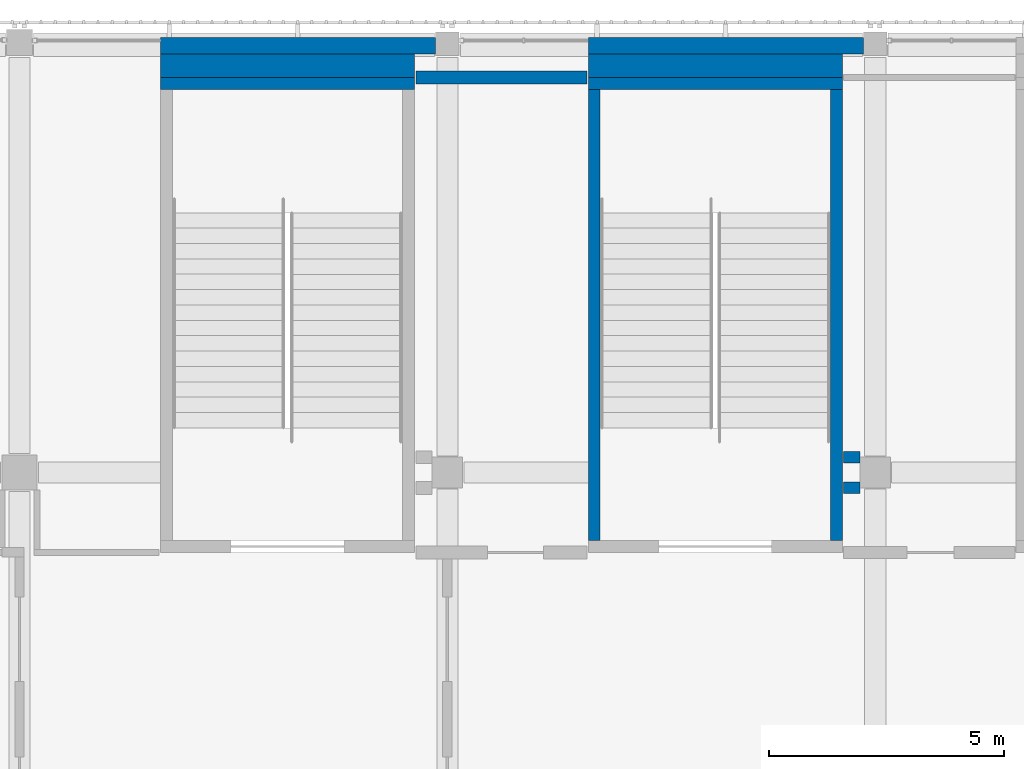
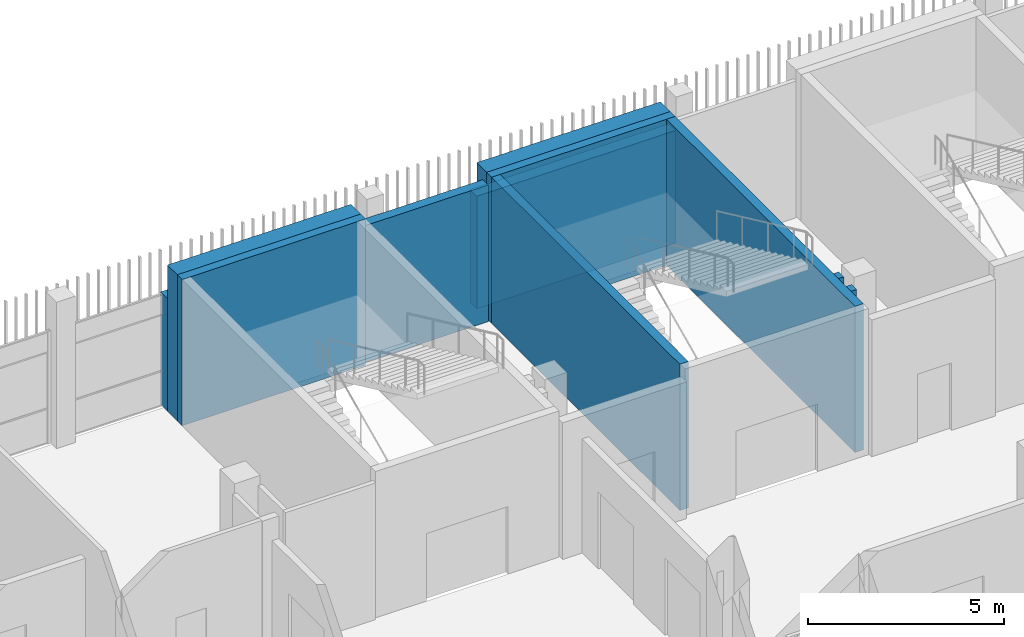
# One storey, part 66 of 104: 11 walls.
"""IFC4 building model written with IfcOpenShell, lengths in metres."""

from ifc_helpers import new_model, si_unit, direction, frame, frame_2d, origin, place, context, subcontext, project, spatial, rectangle, extrude, material, layer, layer_set, type_object, element, save


model = new_model("IFC4")

# Units and contexts
model_context = context("Model", 3, precision=1e-05, world=origin(), true_north=direction((0.0, 1.0)))
body_context = subcontext(model_context, "Body", "Model", "MODEL_VIEW")
ifc_project = project(units=[si_unit("LENGTHUNIT", "METRE"), si_unit("AREAUNIT", "SQUARE_METRE"), si_unit("VOLUMEUNIT", "CUBIC_METRE"), si_unit("PLANEANGLEUNIT", "RADIAN"), si_unit("MASSUNIT", "GRAM", prefix="KILO")], contexts=[model_context])

# Site, building, storey
site_placement = place(None, origin())
site = spatial("IfcSite", under=ifc_project, at=site_placement, CompositionType="ELEMENT")
building_placement = place(site_placement, origin())
building = spatial("IfcBuilding", under=site, at=building_placement, Name="Shirokan Park Arena", CompositionType="ELEMENT")
storey_placement = place(building_placement, frame((0.0, 0.0, 10.919921875)))
storey = spatial("IfcBuildingStorey", under=building, at=storey_placement, Name="L02", CompositionType="ELEMENT", Elevation=10.919921875)

# Walls
ifc_material_1 = material(Name="Plaster")
ifc_layer_1 = layer(ifc_material_1, 0.014892578125, Name="Plaster")
ifc_material_2 = material(Name="Concrete blockwork", Category="masonry")
ifc_layer_2 = layer(ifc_material_2, 0.219970703125, Name="Concrete blockwork 220")
ifc_layer_3 = layer(ifc_material_1, 0.014892578125, Name="Plaster")
ifc_layer_set_1 = layer_set([ifc_layer_1, ifc_layer_2, ifc_layer_3], Name="Plaster + Concrete blockwork 220")
wall_type_1 = type_object("IfcWallType", Name="Compartment wall 250", PredefinedType="SOLIDWALL", material=ifc_layer_set_1)
for number, where, z_axis, x_axis, name in (
    (1, (126.72998046875, 99.77490234375, 0.0), (0.0, 0.0, 1.0), (1.0, 0.0, 0.0), "Compartment wall 250 L02"),
    (2, (127.074951171875, 100.425048828125, 0.0), (0.0, 0.0, 1.0), (-1.0, 0.0, 0.0), "Compartment wall 250 L02"),
):
    element("IfcWall", number, at=place(storey_placement, frame(where, z_axis=z_axis, x_axis=x_axis)), inside=storey, type_object=wall_type_1, Name=name, PredefinedType="SOLIDWALL", context=body_context, shape_type="SweptSolid", body=[
        extrude(rectangle(XDim=0.344970703125, YDim=0.25, at=frame_2d((0.17236328125, 0.0))), origin(), (0.0, 0.0, 1.0), 4.25),
    ])
ifc_material_3 = material(Name="Cedar cladding")
ifc_layer_4 = layer(ifc_material_3, 0.030029296875, Name="Cedar cladding")
ifc_material_4 = material(Name="Mineral wool insulation")
ifc_layer_5 = layer(ifc_material_4, 0.10009765625, Name="Mineral wool insulation")
ifc_material_5 = material(Name="Concrete C35", Category="concrete")
ifc_layer_6 = layer(ifc_material_5, 0.199951171875, Name="Concrete C35")
ifc_material_6 = material(Name="Gypsum board lining")
ifc_layer_7 = layer(ifc_material_6, 0.02001953125, Name="Gypsum board lining")
ifc_layer_set_2 = layer_set([ifc_layer_4, ifc_layer_5, ifc_layer_6, ifc_layer_7], Name="Cedar cladding + Mineral wool insulation + Concrete C35 + Gypsum board lining")
wall_type_2 = type_object("IfcWallType", Name="Insulated tower wall 350", PredefinedType="SOLIDWALL", material=ifc_layer_set_2)
wall_1_placement = place(storey_placement, frame((127.14990234375, 109.175048828125, 0.0), z_axis=(0.0, 0.0, 1.0), x_axis=(-1.0, 0.0, 0.0)))
element("IfcWall", 3, at=wall_1_placement, inside=storey, type_object=wall_type_2, Name="North facade wall bay 3 L02", PredefinedType="SOLIDWALL", context=body_context, shape_type="SweptSolid", body=[
    extrude(rectangle(XDim=5.849853515625, YDim=0.35009765625, at=frame_2d((2.9248046875, 0.0))), origin(), (0.0, 0.0, 1.0), 3.5),
])
wall_2_placement = place(storey_placement, frame((118.050048828125, 109.175048828125, 0.0), z_axis=(0.0, 0.0, 1.0), x_axis=(-1.0, 0.0, 0.0)))
element("IfcWall", 4, at=wall_2_placement, inside=storey, type_object=wall_type_2, Name="North facade wall bay 4 L02", PredefinedType="SOLIDWALL", context=body_context, shape_type="SweptSolid", body=[
    extrude(rectangle(XDim=5.85009765625, YDim=0.35009765625, at=frame_2d((2.925048828125, 0.0))), origin(), (0.0, 0.0, 1.0), 3.5),
])
ifc_layer_8 = layer(ifc_material_1, 0.012451171875, Name="Plaster")
ifc_layer_9 = layer(ifc_material_2, 0.25, Name="Concrete blockwork 250")
ifc_layer_10 = layer(ifc_material_1, 0.012451171875, Name="Plaster")
ifc_layer_set_3 = layer_set([ifc_layer_8, ifc_layer_9, ifc_layer_10], Name="Plaster + Concrete blockwork 250")
wall_type_3 = type_object("IfcWallType", Name="Plant room wall 275", PredefinedType="SOLIDWALL", material=ifc_layer_set_3)
wall_3_placement = place(storey_placement, frame((117.6298828125, 108.5, 0.0), z_axis=(0.0, 0.0, 1.0), x_axis=(1.0, 0.0, 0.0)))
element("IfcWall", 5, at=wall_3_placement, inside=storey, type_object=wall_type_3, Name="Plant room wall 275 L02", PredefinedType="SOLIDWALL", context=body_context, shape_type="SweptSolid", body=[
    extrude(rectangle(XDim=3.64013671875, YDim=0.27490234375, at=frame_2d((1.820068359375, 0.0))), origin(), (0.0, 0.0, 1.0), 4.25),
])
ifc_material_7 = material(Name="Concrete C40/50", Category="concrete")
ifc_layer_11 = layer(ifc_material_7, 0.25)
ifc_layer_set_4 = layer_set([ifc_layer_11], Name="Concrete C40/50 250 mm")
wall_type_4 = type_object("IfcWallType", Name="RC shear wall 250", PredefinedType="SHEAR", material=ifc_layer_set_4)
wall_4_placement = place(storey_placement, frame((126.699951171875, 108.375, 0.0), z_axis=(0.0, 0.0, 1.0), x_axis=(-1.0, 0.0, 0.0)))
element("IfcWall", 6, at=wall_4_placement, inside=storey, type_object=wall_type_4, Name="Shaft wall Exit Stair 3.C N L02", PredefinedType="SHEAR", context=body_context, shape_type="SweptSolid", body=[
    extrude(rectangle(XDim=5.39990234375, YDim=0.25, at=frame_2d((2.699951171875, 0.0))), origin(), (0.0, 0.0, 1.0), 4.550048828125),
])
for number, where, z_axis, x_axis, name in (
    (7, (121.425048828125, 108.25, 0.0), (0.0, 0.0, 1.0), (0.0, -1.0, 0.0), "Shaft wall Exit Stair 3.C W L02"),
    (8, (126.574951171875, 108.25, 0.0), (0.0, 0.0, 1.0), (0.0, -1.0, 0.0), "Shaft wall Exit Stair 3.C E L02"),
):
    element("IfcWall", number, at=place(storey_placement, frame(where, z_axis=z_axis, x_axis=x_axis)), inside=storey, type_object=wall_type_4, Name=name, PredefinedType="SHEAR", context=body_context, shape_type="SweptSolid", body=[
        extrude(rectangle(XDim=9.60009765625, YDim=0.25, at=frame_2d((4.800048828125, 0.0))), origin(), (0.0, 0.0, 1.0), 4.550048828125),
    ])
wall_5_placement = place(storey_placement, frame((117.60009765625, 108.375, 0.0), z_axis=(0.0, 0.0, 1.0), x_axis=(-1.0, 0.0, 0.0)))
element("IfcWall", 9, at=wall_5_placement, inside=storey, type_object=wall_type_4, Name="Shaft wall Exit Stair 3.D N L02", PredefinedType="SHEAR", context=body_context, shape_type="SweptSolid", body=[
    extrude(rectangle(XDim=5.400146484375, YDim=0.25, at=frame_2d((2.7001953125, 0.0))), origin(), (0.0, 0.0, 1.0), 4.550048828125),
])
ifc_layer_12 = layer(ifc_material_5, 0.5)
ifc_layer_set_5 = layer_set([ifc_layer_12], Name="Concrete C35 500 mm")
wall_type_5 = type_object("IfcWallType", Name="Shaft infill wall 500", PredefinedType="SOLIDWALL", material=ifc_layer_set_5)
wall_6_placement = place(storey_placement, frame((121.300048828125, 108.75, 0.0), z_axis=(0.0, 0.0, 1.0), x_axis=(1.0, 0.0, 0.0)))
element("IfcWall", 10, at=wall_6_placement, inside=storey, type_object=wall_type_5, Name="Shaft infill wall L02", PredefinedType="SOLIDWALL", context=body_context, shape_type="SweptSolid", body=[
    extrude(rectangle(XDim=5.39990234375, YDim=0.5, at=frame_2d((2.699951171875, 0.0))), origin(), (0.0, 0.0, 1.0), 4.550048828125),
])
wall_7_placement = place(storey_placement, frame((112.199951171875, 108.75, 0.0), z_axis=(0.0, 0.0, 1.0), x_axis=(1.0, 0.0, 0.0)))
element("IfcWall", 11, at=wall_7_placement, inside=storey, type_object=wall_type_5, Name="Shaft infill wall L02", PredefinedType="SOLIDWALL", context=body_context, shape_type="SweptSolid", body=[
    extrude(rectangle(XDim=5.400146484375, YDim=0.5, at=frame_2d((2.7001953125, 0.0))), origin(), (0.0, 0.0, 1.0), 4.550048828125),
])

save(model, "model.ifc")
